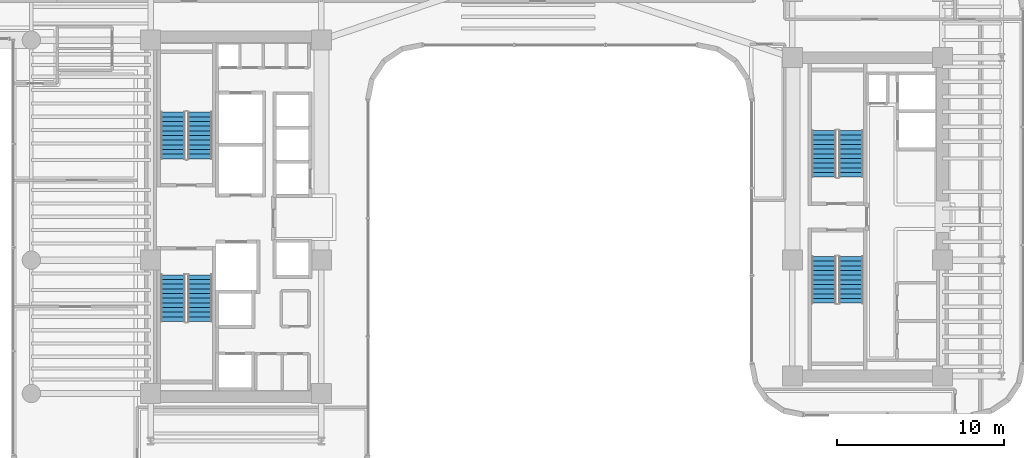
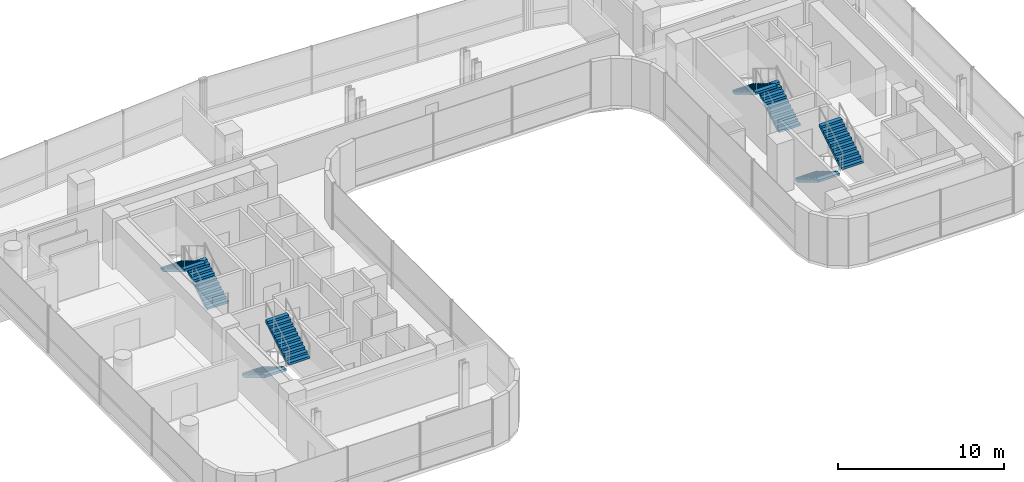
# One storey, part 31 of 35: 8 stair flights, 4 elements without a shape of their own.
"""IFC4 building model written with IfcOpenShell, lengths in metres."""

from ifc_helpers import new_model, si_unit, direction, frame, origin, place, context, subcontext, project, spatial, polyline, outline, extrude, material, type_object, element, aggregate, save


model = new_model("IFC4")

# Units and contexts
model_context = context("Model", 3, precision=1e-05, world=origin(), true_north=direction((0.0, 1.0)))
body_context = subcontext(model_context, "Body", "Model", "MODEL_VIEW")
ifc_project = project(units=[si_unit("LENGTHUNIT", "METRE"), si_unit("AREAUNIT", "SQUARE_METRE"), si_unit("VOLUMEUNIT", "CUBIC_METRE"), si_unit("PLANEANGLEUNIT", "RADIAN"), si_unit("MASSUNIT", "GRAM", prefix="KILO")], contexts=[model_context])

# Site, building, storey
site_placement = place(None, origin())
site = spatial("IfcSite", under=ifc_project, at=site_placement, CompositionType="ELEMENT")
building_placement = place(site_placement, origin())
building = spatial("IfcBuilding", under=site, at=building_placement, Name="Valdorenza Pilgrim Sanctuary Tower", CompositionType="ELEMENT")
storey_placement = place(building_placement, frame((0.0, 0.0, 124.199951171875)))
storey = spatial("IfcBuildingStorey", under=building, at=storey_placement, Name="L31", CompositionType="ELEMENT", Elevation=124.199951171875)

# Stair, stair flights
ifc_material = material(Name="Concrete C40/50", Category="concrete")
stair_type = type_object("IfcStairType", Name="STR-DOG-CORE", PredefinedType="HALF_TURN_STAIR", material=ifc_material)
stair_1_placement = place(storey_placement, origin())
stair_1 = element("IfcStair", 1, at=stair_1_placement, inside=storey, type_object=stair_type, Name="L31 ST-A1", PredefinedType="HALF_TURN_STAIR")
stair_flight_type = type_object("IfcStairFlightType", Name="STF-RC-1400", PredefinedType="STRAIGHT", material=ifc_material)
stair_flight_1_placement = place(storey_placement, frame((-19.679931640625, 3.47998046875, 0.0), z_axis=(0.0, 0.0, 1.0), x_axis=(0.0, 1.0, 0.0)))
stair_flight_1 = element("IfcStairFlight", 2, at=stair_flight_1_placement, type_object=stair_flight_type, Name="ST-A1 flight 1", NumberOfRisers=11, NumberOfTreads=10, PredefinedType="STRAIGHT", RiserHeight=0.168181818, TreadLength=0.28, context=body_context, shape_type="SweptSolid", body=[
    extrude(outline(polyline([(0.0, 0.0), (0.0, 0.168212890625), (0.280029296875, 0.168212890625), (0.280029296875, 0.33642578125), (0.56005859375, 0.33642578125), (0.56005859375, 0.504638671875), (0.840087890625, 0.504638671875), (0.840087890625, 0.672607421875), (1.1201171875, 0.672607421875), (1.1201171875, 0.8408203125), (1.39990234375, 0.8408203125), (1.39990234375, 1.009033203125), (1.679931640625, 1.009033203125), (1.679931640625, 1.17724609375), (1.9599609375, 1.17724609375), (1.9599609375, 1.345458984375), (2.239990234375, 1.345458984375), (2.239990234375, 1.513671875), (2.52001953125, 1.513671875), (2.52001953125, 1.681884765625), (2.800048828125, 1.681884765625), (2.800048828125, 1.85009765625), (2.800048828125, 1.5068359375), (0.291015625, 0.0), (0.0, 0.0)])), frame((0.0, 0.739990234375, 0.0), z_axis=(0.0, -1.0, 0.0), x_axis=(1.0, 0.0, 0.0)), (0.0, 0.0, 1.0), 1.47998046875),
])
stair_flight_2_placement = place(storey_placement, frame((-21.31005859375, 6.280029296875, 1.85009765625), z_axis=(0.0, 0.0, 1.0), x_axis=(0.0, -1.0, 0.0)))
stair_flight_2 = element("IfcStairFlight", 3, at=stair_flight_2_placement, type_object=stair_flight_type, Name="ST-A1 flight 2", NumberOfRisers=11, NumberOfTreads=10, PredefinedType="STRAIGHT", RiserHeight=0.168181818, TreadLength=0.28, context=body_context, shape_type="SweptSolid", body=[
    extrude(outline(polyline([(0.0, 0.0), (0.0, 0.168212890625), (0.280029296875, 0.168212890625), (0.280029296875, 0.33642578125), (0.56005859375, 0.33642578125), (0.56005859375, 0.504638671875), (0.840087890625, 0.504638671875), (0.840087890625, 0.672607421875), (1.1201171875, 0.672607421875), (1.1201171875, 0.8408203125), (1.39990234375, 0.8408203125), (1.39990234375, 1.009033203125), (1.679931640625, 1.009033203125), (1.679931640625, 1.17724609375), (1.9599609375, 1.17724609375), (1.9599609375, 1.345458984375), (2.239990234375, 1.345458984375), (2.239990234375, 1.513671875), (2.52001953125, 1.513671875), (2.52001953125, 1.681884765625), (2.800048828125, 1.681884765625), (2.800048828125, 1.85009765625), (2.800048828125, 1.5068359375), (0.291015625, 0.0), (0.0, 0.0)])), frame((0.0, 0.739990234375, 0.0), z_axis=(0.0, -1.0, 0.0), x_axis=(1.0, 0.0, 0.0)), (0.0, 0.0, 1.0), 1.47998046875),
])
aggregate(stair_1, [stair_flight_1, stair_flight_2])

stair_2_placement = place(storey_placement, origin())
stair_2 = element("IfcStair", 4, at=stair_2_placement, inside=storey, type_object=stair_type, Name="L31 ST-A2", PredefinedType="HALF_TURN_STAIR")
stair_flight_3_placement = place(storey_placement, frame((-21.31005859375, -3.47998046875, 0.0), z_axis=(0.0, 0.0, 1.0), x_axis=(0.0, -1.0, 0.0)))
stair_flight_3 = element("IfcStairFlight", 5, at=stair_flight_3_placement, type_object=stair_flight_type, Name="ST-A2 flight 1", NumberOfRisers=11, NumberOfTreads=10, PredefinedType="STRAIGHT", RiserHeight=0.168181818, TreadLength=0.28, context=body_context, shape_type="SweptSolid", body=[
    extrude(outline(polyline([(0.0, 0.0), (0.0, 0.168212890625), (0.280029296875, 0.168212890625), (0.280029296875, 0.33642578125), (0.56005859375, 0.33642578125), (0.56005859375, 0.504638671875), (0.840087890625, 0.504638671875), (0.840087890625, 0.672607421875), (1.1201171875, 0.672607421875), (1.1201171875, 0.8408203125), (1.39990234375, 0.8408203125), (1.39990234375, 1.009033203125), (1.679931640625, 1.009033203125), (1.679931640625, 1.17724609375), (1.9599609375, 1.17724609375), (1.9599609375, 1.345458984375), (2.239990234375, 1.345458984375), (2.239990234375, 1.513671875), (2.52001953125, 1.513671875), (2.52001953125, 1.681884765625), (2.800048828125, 1.681884765625), (2.800048828125, 1.85009765625), (2.800048828125, 1.5068359375), (0.291015625, 0.0), (0.0, 0.0)])), frame((0.0, 0.739990234375, 0.0), z_axis=(0.0, -1.0, 0.0), x_axis=(1.0, 0.0, 0.0)), (0.0, 0.0, 1.0), 1.47998046875),
])
stair_flight_4_placement = place(storey_placement, frame((-19.679931640625, -6.280029296875, 1.85009765625), z_axis=(0.0, 0.0, 1.0), x_axis=(0.0, 1.0, 0.0)))
stair_flight_4 = element("IfcStairFlight", 6, at=stair_flight_4_placement, type_object=stair_flight_type, Name="ST-A2 flight 2", NumberOfRisers=11, NumberOfTreads=10, PredefinedType="STRAIGHT", RiserHeight=0.168181818, TreadLength=0.28, context=body_context, shape_type="SweptSolid", body=[
    extrude(outline(polyline([(0.0, 0.0), (0.0, 0.168212890625), (0.280029296875, 0.168212890625), (0.280029296875, 0.33642578125), (0.56005859375, 0.33642578125), (0.56005859375, 0.504638671875), (0.840087890625, 0.504638671875), (0.840087890625, 0.672607421875), (1.1201171875, 0.672607421875), (1.1201171875, 0.8408203125), (1.39990234375, 0.8408203125), (1.39990234375, 1.009033203125), (1.679931640625, 1.009033203125), (1.679931640625, 1.17724609375), (1.9599609375, 1.17724609375), (1.9599609375, 1.345458984375), (2.239990234375, 1.345458984375), (2.239990234375, 1.513671875), (2.52001953125, 1.513671875), (2.52001953125, 1.681884765625), (2.800048828125, 1.681884765625), (2.800048828125, 1.85009765625), (2.800048828125, 1.5068359375), (0.291015625, 0.0), (0.0, 0.0)])), frame((0.0, 0.739990234375, 0.0), z_axis=(0.0, -1.0, 0.0), x_axis=(1.0, 0.0, 0.0)), (0.0, 0.0, 1.0), 1.47998046875),
])
aggregate(stair_2, [stair_flight_3, stair_flight_4])

stair_3_placement = place(storey_placement, origin())
stair_3 = element("IfcStair", 7, at=stair_3_placement, inside=storey, type_object=stair_type, Name="L31 ST-B1", PredefinedType="HALF_TURN_STAIR")
stair_flight_5_placement = place(storey_placement, frame((19.3701171875, 2.3798828125, 0.0), z_axis=(0.0, 0.0, 1.0), x_axis=(0.0, 1.0, 0.0)))
stair_flight_5 = element("IfcStairFlight", 8, at=stair_flight_5_placement, type_object=stair_flight_type, Name="ST-B1 flight 1", NumberOfRisers=11, NumberOfTreads=10, PredefinedType="STRAIGHT", RiserHeight=0.168181818, TreadLength=0.28, context=body_context, shape_type="SweptSolid", body=[
    extrude(outline(polyline([(0.0, 0.0), (0.0, 0.168212890625), (0.280029296875, 0.168212890625), (0.280029296875, 0.33642578125), (0.56005859375, 0.33642578125), (0.56005859375, 0.504638671875), (0.840087890625, 0.504638671875), (0.840087890625, 0.672607421875), (1.1201171875, 0.672607421875), (1.1201171875, 0.8408203125), (1.39990234375, 0.8408203125), (1.39990234375, 1.009033203125), (1.679931640625, 1.009033203125), (1.679931640625, 1.17724609375), (1.9599609375, 1.17724609375), (1.9599609375, 1.345458984375), (2.239990234375, 1.345458984375), (2.239990234375, 1.513671875), (2.52001953125, 1.513671875), (2.52001953125, 1.681884765625), (2.800048828125, 1.681884765625), (2.800048828125, 1.85009765625), (2.800048828125, 1.5068359375), (0.291015625, 0.0), (0.0, 0.0)])), frame((0.0, 0.739990234375, 0.0), z_axis=(0.0, -1.0, 0.0), x_axis=(1.0, 0.0, 0.0)), (0.0, 0.0, 1.0), 1.47998046875),
])
stair_flight_6_placement = place(storey_placement, frame((17.739990234375, 5.179931640625, 1.85009765625), z_axis=(0.0, 0.0, 1.0), x_axis=(0.0, -1.0, 0.0)))
stair_flight_6 = element("IfcStairFlight", 9, at=stair_flight_6_placement, type_object=stair_flight_type, Name="ST-B1 flight 2", NumberOfRisers=11, NumberOfTreads=10, PredefinedType="STRAIGHT", RiserHeight=0.168181818, TreadLength=0.28, context=body_context, shape_type="SweptSolid", body=[
    extrude(outline(polyline([(0.0, 0.0), (0.0, 0.168212890625), (0.280029296875, 0.168212890625), (0.280029296875, 0.33642578125), (0.56005859375, 0.33642578125), (0.56005859375, 0.504638671875), (0.840087890625, 0.504638671875), (0.840087890625, 0.672607421875), (1.1201171875, 0.672607421875), (1.1201171875, 0.8408203125), (1.39990234375, 0.8408203125), (1.39990234375, 1.009033203125), (1.679931640625, 1.009033203125), (1.679931640625, 1.17724609375), (1.9599609375, 1.17724609375), (1.9599609375, 1.345458984375), (2.239990234375, 1.345458984375), (2.239990234375, 1.513671875), (2.52001953125, 1.513671875), (2.52001953125, 1.681884765625), (2.800048828125, 1.681884765625), (2.800048828125, 1.85009765625), (2.800048828125, 1.5068359375), (0.291015625, 0.0), (0.0, 0.0)])), frame((0.0, 0.739990234375, 0.0), z_axis=(0.0, -1.0, 0.0), x_axis=(1.0, 0.0, 0.0)), (0.0, 0.0, 1.0), 1.47998046875),
])
aggregate(stair_3, [stair_flight_5, stair_flight_6])

stair_4_placement = place(storey_placement, origin())
stair_4 = element("IfcStair", 10, at=stair_4_placement, inside=storey, type_object=stair_type, Name="L31 ST-B2", PredefinedType="HALF_TURN_STAIR")
stair_flight_7_placement = place(storey_placement, frame((17.739990234375, -2.3798828125, 0.0), z_axis=(0.0, 0.0, 1.0), x_axis=(0.0, -1.0, 0.0)))
stair_flight_7 = element("IfcStairFlight", 11, at=stair_flight_7_placement, type_object=stair_flight_type, Name="ST-B2 flight 1", NumberOfRisers=11, NumberOfTreads=10, PredefinedType="STRAIGHT", RiserHeight=0.168181818, TreadLength=0.28, context=body_context, shape_type="SweptSolid", body=[
    extrude(outline(polyline([(0.0, 0.0), (0.0, 0.168212890625), (0.280029296875, 0.168212890625), (0.280029296875, 0.33642578125), (0.56005859375, 0.33642578125), (0.56005859375, 0.504638671875), (0.840087890625, 0.504638671875), (0.840087890625, 0.672607421875), (1.1201171875, 0.672607421875), (1.1201171875, 0.8408203125), (1.39990234375, 0.8408203125), (1.39990234375, 1.009033203125), (1.679931640625, 1.009033203125), (1.679931640625, 1.17724609375), (1.9599609375, 1.17724609375), (1.9599609375, 1.345458984375), (2.239990234375, 1.345458984375), (2.239990234375, 1.513671875), (2.52001953125, 1.513671875), (2.52001953125, 1.681884765625), (2.800048828125, 1.681884765625), (2.800048828125, 1.85009765625), (2.800048828125, 1.5068359375), (0.291015625, 0.0), (0.0, 0.0)])), frame((0.0, 0.739990234375, 0.0), z_axis=(0.0, -1.0, 0.0), x_axis=(1.0, 0.0, 0.0)), (0.0, 0.0, 1.0), 1.47998046875),
])
stair_flight_8_placement = place(storey_placement, frame((19.3701171875, -5.179931640625, 1.85009765625), z_axis=(0.0, 0.0, 1.0), x_axis=(0.0, 1.0, 0.0)))
stair_flight_8 = element("IfcStairFlight", 12, at=stair_flight_8_placement, type_object=stair_flight_type, Name="ST-B2 flight 2", NumberOfRisers=11, NumberOfTreads=10, PredefinedType="STRAIGHT", RiserHeight=0.168181818, TreadLength=0.28, context=body_context, shape_type="SweptSolid", body=[
    extrude(outline(polyline([(0.0, 0.0), (0.0, 0.168212890625), (0.280029296875, 0.168212890625), (0.280029296875, 0.33642578125), (0.56005859375, 0.33642578125), (0.56005859375, 0.504638671875), (0.840087890625, 0.504638671875), (0.840087890625, 0.672607421875), (1.1201171875, 0.672607421875), (1.1201171875, 0.8408203125), (1.39990234375, 0.8408203125), (1.39990234375, 1.009033203125), (1.679931640625, 1.009033203125), (1.679931640625, 1.17724609375), (1.9599609375, 1.17724609375), (1.9599609375, 1.345458984375), (2.239990234375, 1.345458984375), (2.239990234375, 1.513671875), (2.52001953125, 1.513671875), (2.52001953125, 1.681884765625), (2.800048828125, 1.681884765625), (2.800048828125, 1.85009765625), (2.800048828125, 1.5068359375), (0.291015625, 0.0), (0.0, 0.0)])), frame((0.0, 0.739990234375, 0.0), z_axis=(0.0, -1.0, 0.0), x_axis=(1.0, 0.0, 0.0)), (0.0, 0.0, 1.0), 1.47998046875),
])
aggregate(stair_4, [stair_flight_7, stair_flight_8])

save(model, "model.ifc")
